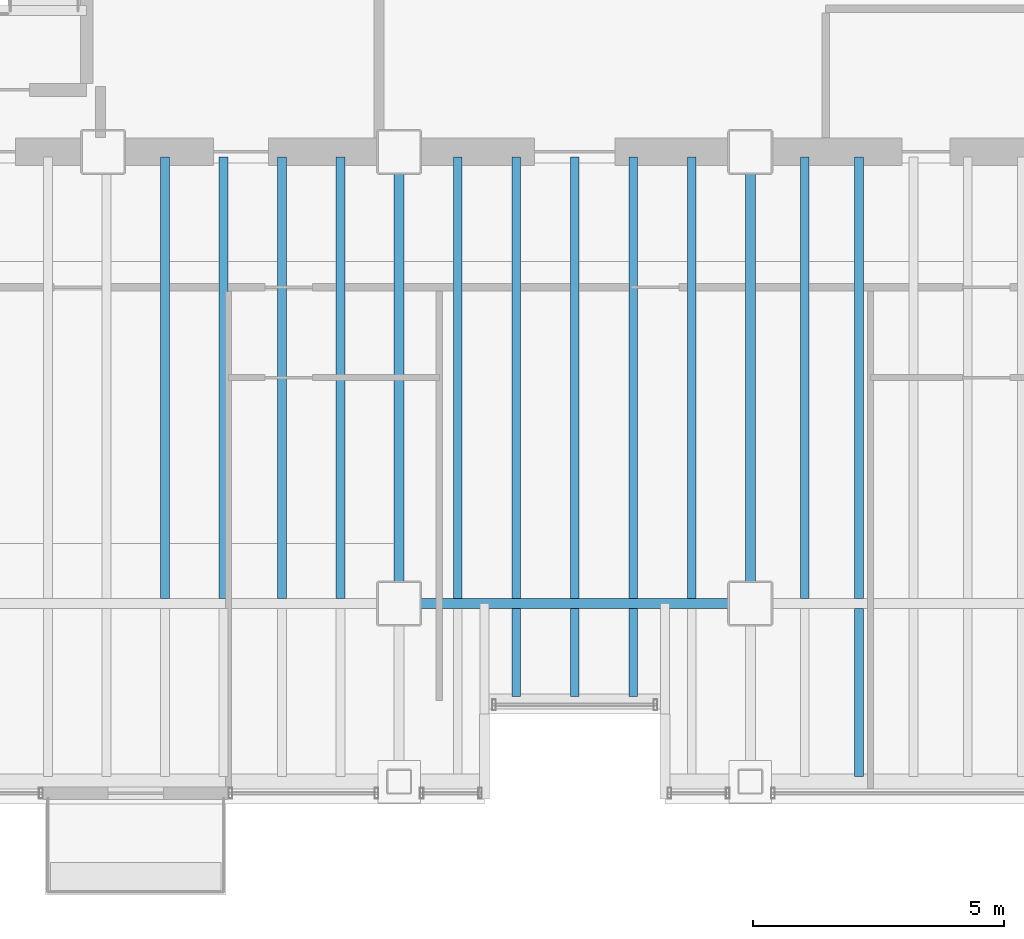
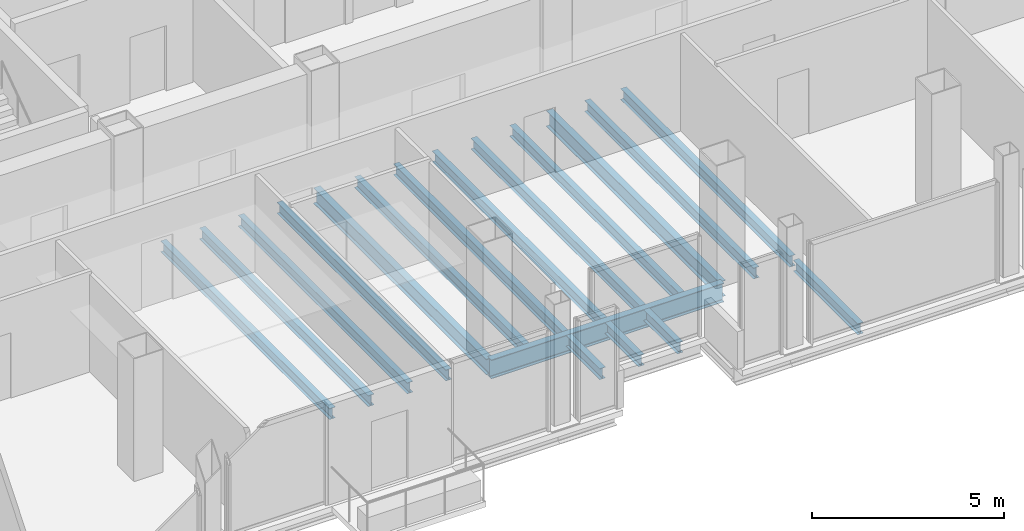
# One storey, part 5 of 19: 18 beams.
"""IFC4 building model written with IfcOpenShell, lengths in metres."""

from ifc_helpers import new_model, si_unit, direction, frame, origin, origin_2d, place, context, subcontext, project, spatial, i_section, extrude, material, material_profile, profile_set, type_object, element, save


model = new_model("IFC4")

# Units and contexts
model_context = context("Model", 3, precision=1e-05, world=origin(), true_north=direction((0.0, 1.0)))
body_context = subcontext(model_context, "Body", "Model", "MODEL_VIEW")
ifc_project = project(units=[si_unit("LENGTHUNIT", "METRE"), si_unit("AREAUNIT", "SQUARE_METRE"), si_unit("VOLUMEUNIT", "CUBIC_METRE"), si_unit("PLANEANGLEUNIT", "RADIAN"), si_unit("MASSUNIT", "GRAM", prefix="KILO")], contexts=[model_context])

# Site, building, storey
site_placement = place(None, origin())
site = spatial("IfcSite", under=ifc_project, at=site_placement, CompositionType="ELEMENT")
building_placement = place(site_placement, origin())
building = spatial("IfcBuilding", under=site, at=building_placement, Name="Noeulbin Bourse Tower", CompositionType="ELEMENT")
storey_placement = place(building_placement, frame((0.0, 0.0, 153.89990234375)))
storey = spatial("IfcBuildingStorey", under=building, at=storey_placement, Name="L38", CompositionType="ELEMENT", Elevation=153.89990234375)

# Beams
ifc_material = material(Name="Steel S355", Category="steel")
ifc_material_profile_1 = material_profile(ifc_material, i_section(OverallWidth=0.199951171875, OverallDepth=0.5, WebThickness=0.010009765625, FlangeThickness=0.01611328125, FilletRadius=0.02001953125, at=origin_2d()), Name="H-500x200x10x16", Category="LoadBearing")
ifc_profile_set_1 = profile_set([ifc_material_profile_1], Name="Steel S355")
beam_type_1 = type_object("IfcBeamType", Name="BM-GRD-500", PredefinedType="USERDEFINED", material=ifc_profile_set_1)
for number, where, z_axis, x_axis, name in (
    (1, (24.0, 20.0, -0.429931640625), (0.0, 1.0, 0.0), (-1.0, 0.0, 0.0), "Tower Primary Girder NS L38-2.2"),
    (2, (31.0, 20.0, -0.429931640625), (0.0, 1.0, 0.0), (-1.0, 0.0, 0.0), "Tower Primary Girder NS L38-3.2"),
):
    element("IfcBeam", number, at=place(storey_placement, frame(where, z_axis=z_axis, x_axis=x_axis)), inside=storey, type_object=beam_type_1, Name=name, ObjectType="GIRDER", PredefinedType="USERDEFINED", context=body_context, shape_type="SweptSolid", body=[
        extrude(i_section(OverallWidth=0.199951171875, OverallDepth=0.5, WebThickness=0.010009765625, FlangeThickness=0.01611328125, FilletRadius=0.02001953125, at=origin_2d()), origin(), (0.0, 0.0, 1.0), 9.0),
    ])
ifc_material_profile_2 = material_profile(ifc_material, i_section(OverallWidth=0.199951171875, OverallDepth=0.60009765625, WebThickness=0.010986328125, FlangeThickness=0.01708984375, FilletRadius=0.02197265625, at=origin_2d()), Name="H-600x200x11x17", Category="LoadBearing")
ifc_profile_set_2 = profile_set([ifc_material_profile_2], Name="Steel S355")
beam_type_2 = type_object("IfcBeamType", Name="BM-GRD-600", PredefinedType="USERDEFINED", material=ifc_profile_set_2)
beam_1_placement = place(storey_placement, frame((24.0, 20.0, -0.47998046875), z_axis=(1.0, 0.0, 0.0), x_axis=(0.0, 1.0, 0.0)))
element("IfcBeam", 3, at=beam_1_placement, inside=storey, type_object=beam_type_2, Name="Tower Primary Girder EW L38-1.3", ObjectType="GIRDER", PredefinedType="USERDEFINED", context=body_context, shape_type="SweptSolid", body=[
    extrude(i_section(OverallWidth=0.199951171875, OverallDepth=0.60009765625, WebThickness=0.010986328125, FlangeThickness=0.01708984375, FilletRadius=0.02197265625, at=origin_2d()), origin(), (0.0, 0.0, 1.0), 7.0),
])
ifc_material_profile_3 = material_profile(ifc_material, i_section(OverallWidth=0.175048828125, OverallDepth=0.35009765625, WebThickness=0.007080078125, FlangeThickness=0.010986328125, FilletRadius=0.013916015625, at=origin_2d()), Name="H-350x175x7x11", Category="LoadBearing")
ifc_profile_set_3 = profile_set([ifc_material_profile_3], Name="Steel S355")
beam_type_3 = type_object("IfcBeamType", Name="BM-JST-350", PredefinedType="JOIST", material=ifc_profile_set_3)
for number, where, z_axis, x_axis, name in (
    (4, (19.333251953125, 20.10009765625, -0.35498046875), (0.0, 1.0, 0.0), (-1.0, 0.0, 0.0), "Tower Composite Joist L38-14"),
    (5, (20.5, 20.10009765625, -0.35498046875), (0.0, 1.0, 0.0), (-1.0, 0.0, 0.0), "Tower Composite Joist L38-17"),
    (6, (21.666748046875, 20.10009765625, -0.35498046875), (0.0, 1.0, 0.0), (-1.0, 0.0, 0.0), "Tower Composite Joist L38-20"),
    (7, (22.833251953125, 20.10009765625, -0.35498046875), (0.0, 1.0, 0.0), (-1.0, 0.0, 0.0), "Tower Composite Joist L38-23"),
    (8, (25.166748046875, 20.10009765625, -0.35498046875), (0.0, 1.0, 0.0), (-1.0, 0.0, 0.0), "Tower Composite Joist L38-26"),
):
    element("IfcBeam", number, at=place(storey_placement, frame(where, z_axis=z_axis, x_axis=x_axis)), inside=storey, type_object=beam_type_3, Name=name, PredefinedType="JOIST", context=body_context, shape_type="SweptSolid", body=[
        extrude(i_section(OverallWidth=0.175048828125, OverallDepth=0.35009765625, WebThickness=0.007080078125, FlangeThickness=0.010986328125, FilletRadius=0.013916015625, at=origin_2d()), origin(), (0.0, 0.0, 1.0), 8.7998046875),
    ])
beam_2_placement = place(storey_placement, frame((26.333251953125, 18.14990234375, -0.35498046875), z_axis=(0.0, 1.0, 0.0), x_axis=(-1.0, 0.0, 0.0)))
element("IfcBeam", 9, at=beam_2_placement, inside=storey, type_object=beam_type_3, Name="Tower Composite Joist L38-28", PredefinedType="JOIST", context=body_context, shape_type="SweptSolid", body=[
    extrude(i_section(OverallWidth=0.175048828125, OverallDepth=0.35009765625, WebThickness=0.007080078125, FlangeThickness=0.010986328125, FilletRadius=0.013916015625, at=origin_2d()), origin(), (0.0, 0.0, 1.0), 1.75),
])
beam_3_placement = place(storey_placement, frame((26.333251953125, 20.10009765625, -0.35498046875), z_axis=(0.0, 1.0, 0.0), x_axis=(-1.0, 0.0, 0.0)))
element("IfcBeam", 10, at=beam_3_placement, inside=storey, type_object=beam_type_3, Name="Tower Composite Joist L38-29", PredefinedType="JOIST", context=body_context, shape_type="SweptSolid", body=[
    extrude(i_section(OverallWidth=0.175048828125, OverallDepth=0.35009765625, WebThickness=0.007080078125, FlangeThickness=0.010986328125, FilletRadius=0.013916015625, at=origin_2d()), origin(), (0.0, 0.0, 1.0), 8.7998046875),
])
beam_4_placement = place(storey_placement, frame((27.5, 18.14990234375, -0.35498046875), z_axis=(0.0, 1.0, 0.0), x_axis=(-1.0, 0.0, 0.0)))
element("IfcBeam", 11, at=beam_4_placement, inside=storey, type_object=beam_type_3, Name="Tower Composite Joist L38-31", PredefinedType="JOIST", context=body_context, shape_type="SweptSolid", body=[
    extrude(i_section(OverallWidth=0.175048828125, OverallDepth=0.35009765625, WebThickness=0.007080078125, FlangeThickness=0.010986328125, FilletRadius=0.013916015625, at=origin_2d()), origin(), (0.0, 0.0, 1.0), 1.75),
])
beam_5_placement = place(storey_placement, frame((27.5, 20.10009765625, -0.35498046875), z_axis=(0.0, 1.0, 0.0), x_axis=(-1.0, 0.0, 0.0)))
element("IfcBeam", 12, at=beam_5_placement, inside=storey, type_object=beam_type_3, Name="Tower Composite Joist L38-32", PredefinedType="JOIST", context=body_context, shape_type="SweptSolid", body=[
    extrude(i_section(OverallWidth=0.175048828125, OverallDepth=0.35009765625, WebThickness=0.007080078125, FlangeThickness=0.010986328125, FilletRadius=0.013916015625, at=origin_2d()), origin(), (0.0, 0.0, 1.0), 8.7998046875),
])
beam_6_placement = place(storey_placement, frame((28.666748046875, 18.14990234375, -0.35498046875), z_axis=(0.0, 1.0, 0.0), x_axis=(-1.0, 0.0, 0.0)))
element("IfcBeam", 13, at=beam_6_placement, inside=storey, type_object=beam_type_3, Name="Tower Composite Joist L38-34", PredefinedType="JOIST", context=body_context, shape_type="SweptSolid", body=[
    extrude(i_section(OverallWidth=0.175048828125, OverallDepth=0.35009765625, WebThickness=0.007080078125, FlangeThickness=0.010986328125, FilletRadius=0.013916015625, at=origin_2d()), origin(), (0.0, 0.0, 1.0), 1.75),
])
for number, where, z_axis, x_axis, name in (
    (14, (28.666748046875, 20.10009765625, -0.35498046875), (0.0, 1.0, 0.0), (-1.0, 0.0, 0.0), "Tower Composite Joist L38-35"),
    (15, (29.833251953125, 20.10009765625, -0.35498046875), (0.0, 1.0, 0.0), (-1.0, 0.0, 0.0), "Tower Composite Joist L38-38"),
    (16, (32.083251953125, 20.10009765625, -0.35498046875), (0.0, 1.0, 0.0), (-1.0, 0.0, 0.0), "Tower Composite Joist L38-41"),
):
    element("IfcBeam", number, at=place(storey_placement, frame(where, z_axis=z_axis, x_axis=x_axis)), inside=storey, type_object=beam_type_3, Name=name, PredefinedType="JOIST", context=body_context, shape_type="SweptSolid", body=[
        extrude(i_section(OverallWidth=0.175048828125, OverallDepth=0.35009765625, WebThickness=0.007080078125, FlangeThickness=0.010986328125, FilletRadius=0.013916015625, at=origin_2d()), origin(), (0.0, 0.0, 1.0), 8.7998046875),
    ])
beam_7_placement = place(storey_placement, frame((33.166748046875, 16.550048828125, -0.35498046875), z_axis=(0.0, 1.0, 0.0), x_axis=(-1.0, 0.0, 0.0)))
element("IfcBeam", 17, at=beam_7_placement, inside=storey, type_object=beam_type_3, Name="Tower Composite Joist L38-43", PredefinedType="JOIST", context=body_context, shape_type="SweptSolid", body=[
    extrude(i_section(OverallWidth=0.175048828125, OverallDepth=0.35009765625, WebThickness=0.007080078125, FlangeThickness=0.010986328125, FilletRadius=0.013916015625, at=origin_2d()), origin(), (0.0, 0.0, 1.0), 3.349853515625),
])
beam_8_placement = place(storey_placement, frame((33.166748046875, 20.10009765625, -0.35498046875), z_axis=(0.0, 1.0, 0.0), x_axis=(-1.0, 0.0, 0.0)))
element("IfcBeam", 18, at=beam_8_placement, inside=storey, type_object=beam_type_3, Name="Tower Composite Joist L38-44", PredefinedType="JOIST", context=body_context, shape_type="SweptSolid", body=[
    extrude(i_section(OverallWidth=0.175048828125, OverallDepth=0.35009765625, WebThickness=0.007080078125, FlangeThickness=0.010986328125, FilletRadius=0.013916015625, at=origin_2d()), origin(), (0.0, 0.0, 1.0), 8.7998046875),
])

save(model, "model.ifc")
